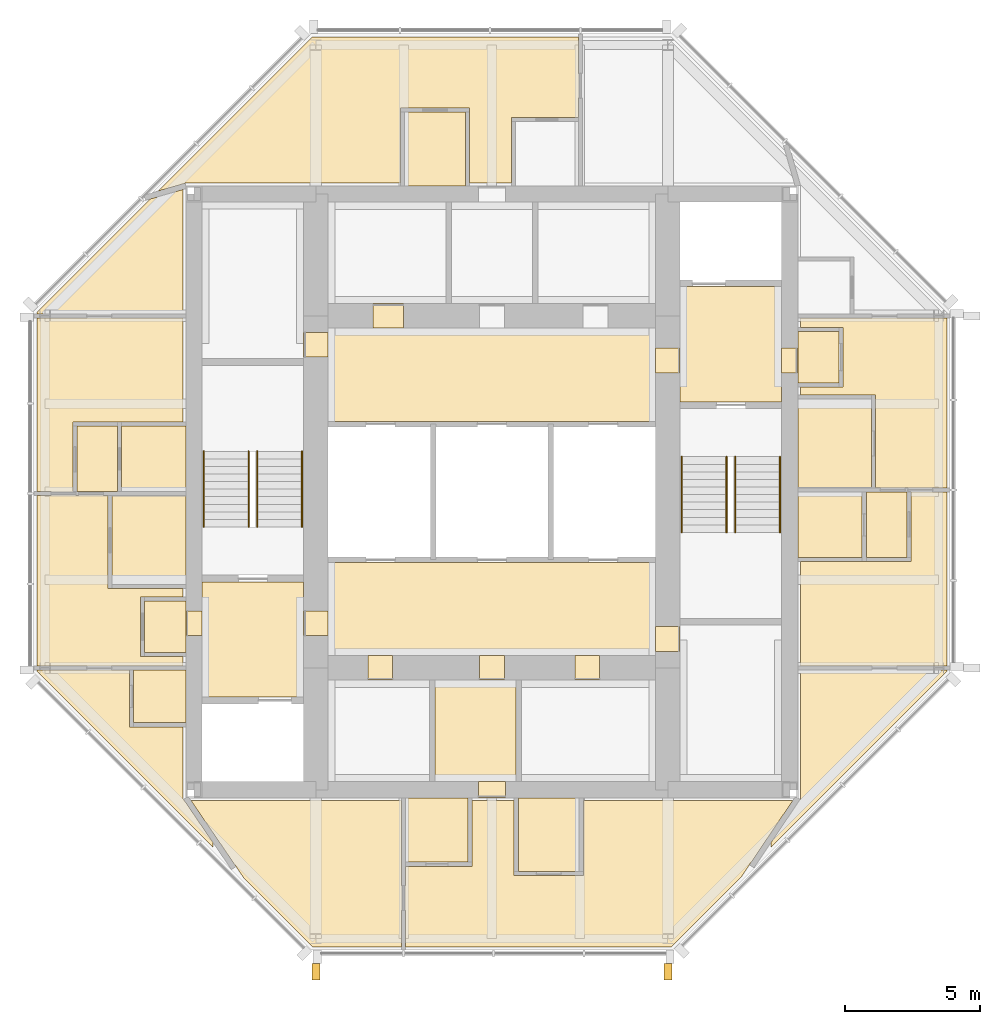
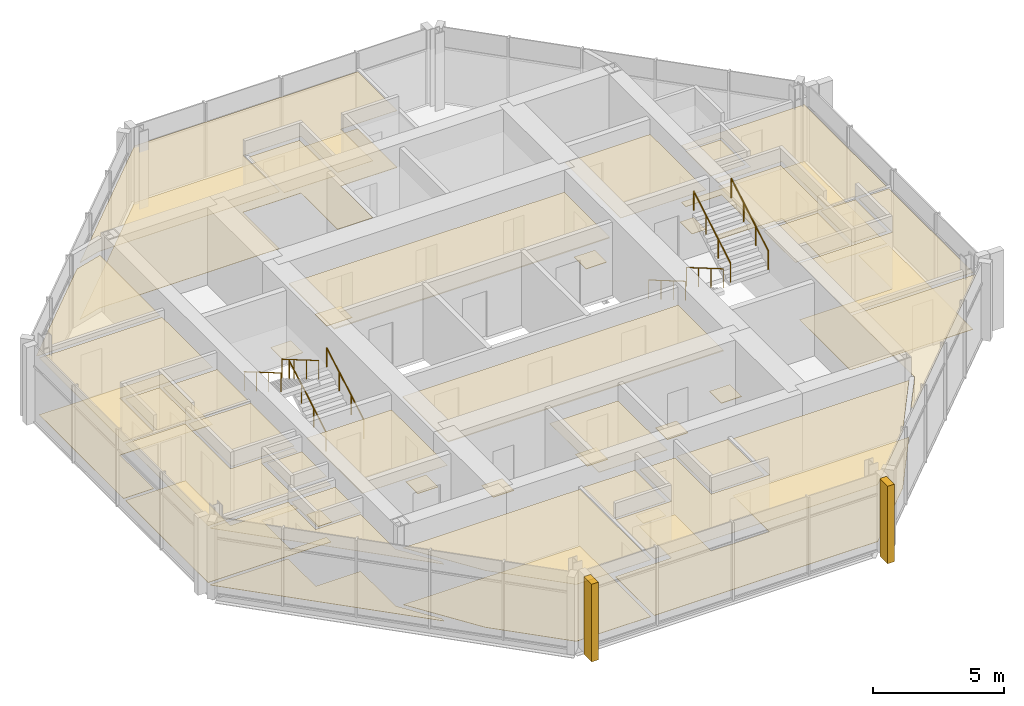
# One storey, part 8 of 9: 48 coverings, 8 railings.
"""IFC4 building model written with IfcOpenShell, lengths in metres."""

from ifc_helpers import new_model, si_unit, direction, frame, origin, origin_2d, place, context, subcontext, project, spatial, polyline, rectangle, circle, outline, extrude, material, layer, layer_set, type_object, element, save


model = new_model("IFC4")

# Units and contexts
model_context = context("Model", 3, precision=1e-05, world=origin(), true_north=direction((0.0, 1.0)))
body_context = subcontext(model_context, "Body", "Model", "MODEL_VIEW")
ifc_project = project(units=[si_unit("LENGTHUNIT", "METRE"), si_unit("AREAUNIT", "SQUARE_METRE"), si_unit("VOLUMEUNIT", "CUBIC_METRE"), si_unit("PLANEANGLEUNIT", "RADIAN"), si_unit("MASSUNIT", "GRAM", prefix="KILO")], contexts=[model_context])

# Site, building, storey
site_placement = place(None, origin())
site = spatial("IfcSite", under=ifc_project, at=site_placement, CompositionType="ELEMENT")
building_placement = place(site_placement, origin())
building = spatial("IfcBuilding", under=site, at=building_placement, Name="Trevanion Tower", CompositionType="ELEMENT")
storey_placement = place(building_placement, frame((0.0, 0.0, 284.800048828125)))
storey = spatial("IfcBuildingStorey", under=building, at=storey_placement, Name="L70", CompositionType="ELEMENT", Elevation=284.800048828125)

# Coverings
ifc_material_1 = material(Name="Fibrous plaster coffers on suspended steel grid", Category="steel")
ifc_layer_1 = layer(ifc_material_1, 0.050048828125)
ifc_layer_set_1 = layer_set([ifc_layer_1], Name="CL1 coffered fibrous plaster ceiling 50")
covering_type_1 = type_object("IfcCoveringType", Name="CL1 coffered fibrous plaster ceiling 50", PredefinedType="CEILING", material=ifc_layer_set_1)
covering_1_placement = place(storey_placement, frame((0.0, 0.0, 2.530029296875)))
element("IfcCovering", 1, at=covering_1_placement, inside=storey, type_object=covering_type_1, Name="CL1 L70-LBN", PredefinedType="CEILING", context=body_context, shape_type="SweptSolid", body=[
    extrude(outline(polyline([(6.050048828125, 2.60009765625), (6.050048828125, 6.050048828125), (-6.050048828125, 6.050048828125), (-6.050048828125, 2.60009765625), (6.050048828125, 2.60009765625)])), origin(), (0.0, 0.0, 1.0), 0.0498046875),
])
covering_2_placement = place(storey_placement, frame((0.0, 0.0, 2.530029296875)))
element("IfcCovering", 2, at=covering_2_placement, inside=storey, type_object=covering_type_1, Name="CL1 L70-LBS", PredefinedType="CEILING", context=body_context, shape_type="SweptSolid", body=[
    extrude(outline(polyline([(6.050048828125, -6.050048828125), (6.050048828125, -2.60009765625), (-6.050048828125, -2.60009765625), (-6.050048828125, -6.050048828125), (6.050048828125, -6.050048828125)])), origin(), (0.0, 0.0, 1.0), 0.0498046875),
])
ifc_material_2 = material(Name="Mineral fibre acoustic tiles in exposed grid", Category="mineral fibre")
ifc_layer_2 = layer(ifc_material_2, 0.02001953125)
ifc_layer_set_2 = layer_set([ifc_layer_2], Name="CL2 acoustic tile ceiling 20")
covering_type_2 = type_object("IfcCoveringType", Name="CL2 acoustic tile ceiling 20", PredefinedType="CEILING", material=ifc_layer_set_2)
covering_3_placement = place(storey_placement, frame((0.0, 0.0, 2.56005859375)))
element("IfcCovering", 3, at=covering_3_placement, inside=storey, type_object=covering_type_2, Name="CL2 L70-CSC", PredefinedType="CEILING", context=body_context, shape_type="SweptSolid", body=[
    extrude(outline(polyline([(0.89990234375, -10.699951171875), (0.89990234375, -6.949951171875), (-2.10009765625, -6.949951171875), (-2.10009765625, -10.699951171875), (0.89990234375, -10.699951171875)])), origin(), (0.0, 0.0, 1.0), 0.019775390625),
])
ifc_material_3 = material(Name="Gypsum plasterboard on suspended metal furring", Category="gypsum")
ifc_layer_3 = layer(ifc_material_3, 0.012939453125)
ifc_layer_set_3 = layer_set([ifc_layer_3], Name="CL3 plasterboard ceiling 13")
covering_type_3 = type_object("IfcCoveringType", Name="CL3 plasterboard ceiling 13", PredefinedType="CEILING", material=ifc_layer_set_3)
covering_4_placement = place(storey_placement, frame((0.0, 0.0, 2.699951171875)))
element("IfcCovering", 4, at=covering_4_placement, inside=storey, type_object=covering_type_3, Name="CL3 L70-FV1", PredefinedType="CEILING", context=body_context, shape_type="SweptSolid", body=[
    extrude(outline(polyline([(10.699951171875, 3.324951171875), (10.699951171875, 7.574951171875), (6.949951171875, 7.574951171875), (6.949951171875, 3.324951171875), (10.699951171875, 3.324951171875)])), origin(), (0.0, 0.0, 1.0), 0.012939453125),
])
covering_5_placement = place(storey_placement, frame((0.0, 0.0, 2.699951171875)))
element("IfcCovering", 5, at=covering_5_placement, inside=storey, type_object=covering_type_3, Name="CL3 L70-FV2", PredefinedType="CEILING", context=body_context, shape_type="SweptSolid", body=[
    extrude(outline(polyline([(-10.699951171875, -3.324951171875), (-10.699951171875, -7.574951171875), (-6.949951171875, -7.574951171875), (-6.949951171875, -3.324951171875), (-10.699951171875, -3.324951171875)])), origin(), (0.0, 0.0, 1.0), 0.012939453125),
])
covering_6_placement = place(storey_placement, frame((0.0, 0.0, 2.699951171875)))
element("IfcCovering", 6, at=covering_6_placement, inside=storey, type_object=covering_type_3, Name="CL3 L70-REE", PredefinedType="CEILING", context=body_context, shape_type="SweptSolid", body=[
    extrude(outline(polyline([(12.824951171875, 4.02490234375), (12.824951171875, 5.925048828125), (11.300048828125, 5.925048828125), (11.300048828125, 4.02490234375), (12.824951171875, 4.02490234375)])), origin(), (0.0, 0.0, 1.0), 0.012939453125),
])
covering_7_placement = place(storey_placement, frame((0.0, 0.0, 2.64599609375)))
element("IfcCovering", 7, at=covering_7_placement, inside=storey, type_object=covering_type_3, Name="CL3 L70-REH", PredefinedType="CEILING", context=body_context, shape_type="SweptSolid", body=[
    extrude(outline(polyline([(15.324951171875, -2.425048828125), (15.324951171875, -0.010009765625), (13.824951171875, -0.010009765625), (13.824951171875, -2.425048828125), (15.324951171875, -2.425048828125)])), origin(), (0.0, 0.0, 1.0), 0.012939453125),
])
covering_8_placement = place(storey_placement, frame((0.0, 0.0, 2.640869140625)))
element("IfcCovering", 8, at=covering_8_placement, inside=storey, type_object=covering_type_3, Name="CL3 L70-REY", PredefinedType="CEILING", context=body_context, shape_type="SweptSolid", body=[
    extrude(outline(polyline([(10.300048828125, -13.124267578125), (10.300048828125, -12.962890625), (11.39990234375, -11.33056640625), (11.39990234375, -6.574951171875), (16.800048828125, -6.574951171875), (16.800048828125, -6.624267578125), (10.300048828125, -13.124267578125)])), origin(), (0.0, 0.0, 1.0), 0.01318359375),
])
covering_9_placement = place(storey_placement, frame((0.0, 0.0, 2.640869140625)))
element("IfcCovering", 9, at=covering_9_placement, inside=storey, type_object=covering_type_3, Name="CL3 L70-REB", PredefinedType="CEILING", context=body_context, shape_type="SweptSolid", body=[
    extrude(outline(polyline([(11.39990234375, -6.425048828125), (11.39990234375, -2.574951171875), (15.47509765625, -2.574951171875), (15.47509765625, -0.010009765625), (16.800048828125, -0.010009765625), (16.800048828125, -6.425048828125), (11.39990234375, -6.425048828125)])), origin(), (0.0, 0.0, 1.0), 0.01318359375),
])
covering_10_placement = place(storey_placement, frame((0.0, 0.0, 2.640869140625)))
element("IfcCovering", 10, at=covering_10_placement, inside=storey, type_object=covering_type_3, Name="CL3 L70-REL", PredefinedType="CEILING", context=body_context, shape_type="SweptSolid", body=[
    extrude(outline(polyline([(14.175048828125, 0.139892578125), (14.175048828125, 3.574951171875), (11.39990234375, 3.574951171875), (11.39990234375, 3.875), (12.97509765625, 3.875), (12.97509765625, 6.074951171875), (11.39990234375, 6.074951171875), (11.39990234375, 6.425048828125), (16.800048828125, 6.425048828125), (16.800048828125, 0.139892578125), (14.175048828125, 0.139892578125)])), origin(), (0.0, 0.0, 1.0), 0.01318359375),
])
covering_11_placement = place(storey_placement, frame((0.0, 0.0, 2.640869140625)))
element("IfcCovering", 11, at=covering_11_placement, inside=storey, type_object=covering_type_3, Name="CL3 L70-RNL", PredefinedType="CEILING", context=body_context, shape_type="SweptSolid", body=[
    extrude(outline(polyline([(3.19091796875, 13.824951171875), (0.72509765625, 13.824951171875), (0.72509765625, 11.39990234375), (-0.824951171875, 11.39990234375), (-0.824951171875, 14.175048828125), (-3.375, 14.175048828125), (-3.375, 11.39990234375), (-11.314208984375, 11.39990234375), (-12.313720703125, 11.110595703125), (-6.624267578125, 16.800048828125), (3.19091796875, 16.800048828125), (3.19091796875, 13.824951171875)])), origin(), (0.0, 0.0, 1.0), 0.01318359375),
])
covering_12_placement = place(storey_placement, frame((0.0, 0.0, 2.699951171875)))
element("IfcCovering", 12, at=covering_12_placement, inside=storey, type_object=covering_type_3, Name="CL3 L70-RWE", PredefinedType="CEILING", context=body_context, shape_type="SweptSolid", body=[
    extrude(outline(polyline([(-12.824951171875, -4.02490234375), (-12.824951171875, -5.925048828125), (-11.300048828125, -5.925048828125), (-11.300048828125, -4.02490234375), (-12.824951171875, -4.02490234375)])), origin(), (0.0, 0.0, 1.0), 0.012939453125),
])
covering_13_placement = place(storey_placement, frame((0.0, 0.0, 2.64599609375)))
element("IfcCovering", 13, at=covering_13_placement, inside=storey, type_object=covering_type_3, Name="CL3 L70-RWH", PredefinedType="CEILING", context=body_context, shape_type="SweptSolid", body=[
    extrude(outline(polyline([(-15.324951171875, 2.425048828125), (-15.324951171875, 0.010009765625), (-13.824951171875, 0.010009765625), (-13.824951171875, 2.425048828125), (-15.324951171875, 2.425048828125)])), origin(), (0.0, 0.0, 1.0), 0.012939453125),
])
covering_14_placement = place(storey_placement, frame((0.0, 0.0, 2.640869140625)))
element("IfcCovering", 14, at=covering_14_placement, inside=storey, type_object=covering_type_3, Name="CL3 L70-RWY", PredefinedType="CEILING", context=body_context, shape_type="SweptSolid", body=[
    extrude(outline(polyline([(-12.606689453125, 10.817626953125), (-11.39990234375, 11.1669921875), (-11.39990234375, 6.574951171875), (-16.800048828125, 6.574951171875), (-16.800048828125, 6.624267578125), (-12.606689453125, 10.817626953125)])), origin(), (0.0, 0.0, 1.0), 0.01318359375),
])
covering_15_placement = place(storey_placement, frame((0.0, 0.0, 2.640869140625)))
element("IfcCovering", 15, at=covering_15_placement, inside=storey, type_object=covering_type_3, Name="CL3 L70-RWB", PredefinedType="CEILING", context=body_context, shape_type="SweptSolid", body=[
    extrude(outline(polyline([(-11.39990234375, 6.425048828125), (-11.39990234375, 2.574951171875), (-15.47509765625, 2.574951171875), (-15.47509765625, 0.010009765625), (-16.800048828125, 0.010009765625), (-16.800048828125, 6.425048828125), (-11.39990234375, 6.425048828125)])), origin(), (0.0, 0.0, 1.0), 0.01318359375),
])
covering_16_placement = place(storey_placement, frame((0.0, 0.0, 2.640869140625)))
element("IfcCovering", 16, at=covering_16_placement, inside=storey, type_object=covering_type_3, Name="CL3 L70-RWL", PredefinedType="CEILING", context=body_context, shape_type="SweptSolid", body=[
    extrude(outline(polyline([(-14.175048828125, -0.139892578125), (-14.175048828125, -3.574951171875), (-11.39990234375, -3.574951171875), (-11.39990234375, -3.875), (-12.97509765625, -3.875), (-12.97509765625, -6.074951171875), (-11.39990234375, -6.074951171875), (-11.39990234375, -6.425048828125), (-16.800048828125, -6.425048828125), (-16.800048828125, -0.139892578125), (-14.175048828125, -0.139892578125)])), origin(), (0.0, 0.0, 1.0), 0.01318359375),
])
covering_17_placement = place(storey_placement, frame((0.0, 0.0, 2.640869140625)))
element("IfcCovering", 17, at=covering_17_placement, inside=storey, type_object=covering_type_3, Name="CL3 L70-RWB2", PredefinedType="CEILING", context=body_context, shape_type="SweptSolid", body=[
    extrude(outline(polyline([(-13.375, -6.574951171875), (-13.375, -8.675048828125), (-11.39990234375, -8.675048828125), (-11.39990234375, -11.330810546875), (-10.300048828125, -12.94384765625), (-10.300048828125, -13.124267578125), (-16.800048828125, -6.624267578125), (-16.800048828125, -6.574951171875), (-13.375, -6.574951171875)])), origin(), (0.0, 0.0, 1.0), 0.01318359375),
])
covering_18_placement = place(storey_placement, frame((0.0, 0.0, 2.640869140625)))
element("IfcCovering", 18, at=covering_18_placement, inside=storey, type_object=covering_type_3, Name="CL3 L70-RSB", PredefinedType="CEILING", context=body_context, shape_type="SweptSolid", body=[
    extrude(outline(polyline([(-11.11083984375, -11.39990234375), (-3.341064453125, -11.39990234375), (-3.341064453125, -16.800048828125), (-6.624267578125, -16.800048828125), (-9.15185546875, -14.272216796875), (-11.11083984375, -11.39990234375)])), origin(), (0.0, 0.0, 1.0), 0.01318359375),
])
covering_19_placement = place(storey_placement, frame((0.0, 0.0, 2.640869140625)))
element("IfcCovering", 19, at=covering_19_placement, inside=storey, type_object=covering_type_3, Name="CL3 L70-RSL", PredefinedType="CEILING", context=body_context, shape_type="SweptSolid", body=[
    extrude(outline(polyline([(9.227294921875, -14.197021484375), (6.624267578125, -16.800048828125), (-3.19091796875, -16.800048828125), (-3.19091796875, -13.824951171875), (-0.72509765625, -13.824951171875), (-0.72509765625, -11.39990234375), (0.824951171875, -11.39990234375), (0.824951171875, -14.175048828125), (3.375, -14.175048828125), (3.375, -11.39990234375), (11.112060546875, -11.39990234375), (9.227294921875, -14.197021484375)])), origin(), (0.0, 0.0, 1.0), 0.01318359375),
])
ifc_material_4 = material(Name="Moisture-resistant gypsum board on suspended metal furring", Category="gypsum")
ifc_layer_4 = layer(ifc_material_4, 0.01611328125)
ifc_layer_set_4 = layer_set([ifc_layer_4], Name="CL4 moisture-resistant board ceiling 16")
covering_type_4 = type_object("IfcCoveringType", Name="CL4 moisture-resistant board ceiling 16", PredefinedType="CEILING", material=ifc_layer_set_4)
covering_20_placement = place(storey_placement, frame((0.0, 0.0, 2.599853515625)))
element("IfcCovering", 20, at=covering_20_placement, inside=storey, type_object=covering_type_4, Name="CL4 L70-REK", PredefinedType="CEILING", context=body_context, shape_type="SweptSolid", body=[
    extrude(outline(polyline([(14.02490234375, 0.139892578125), (14.02490234375, 3.425048828125), (11.300048828125, 3.425048828125), (11.300048828125, 0.139892578125), (14.02490234375, 0.139892578125)])), origin(), (0.0, 0.0, 1.0), 0.01611328125),
])
covering_21_placement = place(storey_placement, frame((0.0, 0.0, 2.599853515625)))
element("IfcCovering", 21, at=covering_21_placement, inside=storey, type_object=covering_type_4, Name="CL4 L70-RET", PredefinedType="CEILING", context=body_context, shape_type="SweptSolid", body=[
    extrude(outline(polyline([(13.675048828125, -2.425048828125), (13.675048828125, -0.010009765625), (11.300048828125, -0.010009765625), (11.300048828125, -2.425048828125), (13.675048828125, -2.425048828125)])), origin(), (0.0, 0.0, 1.0), 0.01611328125),
])
covering_22_placement = place(storey_placement, frame((0.0, 0.0, 2.599853515625)))
element("IfcCovering", 22, at=covering_22_placement, inside=storey, type_object=covering_type_4, Name="CL4 L70-RNK", PredefinedType="CEILING", context=body_context, shape_type="SweptSolid", body=[
    extrude(outline(polyline([(-0.97509765625, 14.02490234375), (-3.22509765625, 14.02490234375), (-3.22509765625, 11.300048828125), (-0.97509765625, 11.300048828125), (-0.97509765625, 14.02490234375)])), origin(), (0.0, 0.0, 1.0), 0.01611328125),
])
covering_23_placement = place(storey_placement, frame((0.0, 0.0, 2.599853515625)))
element("IfcCovering", 23, at=covering_23_placement, inside=storey, type_object=covering_type_4, Name="CL4 L70-RWK", PredefinedType="CEILING", context=body_context, shape_type="SweptSolid", body=[
    extrude(outline(polyline([(-14.02490234375, -0.139892578125), (-14.02490234375, -3.425048828125), (-11.300048828125, -3.425048828125), (-11.300048828125, -0.139892578125), (-14.02490234375, -0.139892578125)])), origin(), (0.0, 0.0, 1.0), 0.01611328125),
])
covering_24_placement = place(storey_placement, frame((0.0, 0.0, 2.599853515625)))
element("IfcCovering", 24, at=covering_24_placement, inside=storey, type_object=covering_type_4, Name="CL4 L70-RWW", PredefinedType="CEILING", context=body_context, shape_type="SweptSolid", body=[
    extrude(outline(polyline([(-13.22509765625, -6.574951171875), (-13.22509765625, -8.52490234375), (-11.300048828125, -8.52490234375), (-11.300048828125, -6.574951171875), (-13.22509765625, -6.574951171875)])), origin(), (0.0, 0.0, 1.0), 0.01611328125),
])
covering_25_placement = place(storey_placement, frame((0.0, 0.0, 2.599853515625)))
element("IfcCovering", 25, at=covering_25_placement, inside=storey, type_object=covering_type_4, Name="CL4 L70-RWT", PredefinedType="CEILING", context=body_context, shape_type="SweptSolid", body=[
    extrude(outline(polyline([(-13.675048828125, 2.425048828125), (-13.675048828125, 0.010009765625), (-11.300048828125, 0.010009765625), (-11.300048828125, 2.425048828125), (-13.675048828125, 2.425048828125)])), origin(), (0.0, 0.0, 1.0), 0.01611328125),
])
covering_26_placement = place(storey_placement, frame((0.0, 0.0, 2.599853515625)))
element("IfcCovering", 26, at=covering_26_placement, inside=storey, type_object=covering_type_4, Name="CL4 L70-RSK", PredefinedType="CEILING", context=body_context, shape_type="SweptSolid", body=[
    extrude(outline(polyline([(0.97509765625, -14.02490234375), (3.22509765625, -14.02490234375), (3.22509765625, -11.300048828125), (0.97509765625, -11.300048828125), (0.97509765625, -14.02490234375)])), origin(), (0.0, 0.0, 1.0), 0.01611328125),
])
covering_27_placement = place(storey_placement, frame((0.0, 0.0, 2.599853515625)))
element("IfcCovering", 27, at=covering_27_placement, inside=storey, type_object=covering_type_4, Name="CL4 L70-RST", PredefinedType="CEILING", context=body_context, shape_type="SweptSolid", body=[
    extrude(outline(polyline([(-3.19091796875, -13.675048828125), (-0.875, -13.675048828125), (-0.875, -11.300048828125), (-3.19091796875, -11.300048828125), (-3.19091796875, -13.675048828125)])), origin(), (0.0, 0.0, 1.0), 0.01611328125),
])
ifc_material_5 = material(Name="Cast bronze fin on aluminium carrier", Category="aluminium")
covering_type_5 = type_object("IfcCoveringType", Name="F1 bronze fin", PredefinedType="CLADDING", material=ifc_material_5)
for number, where, z_axis, x_axis, name in (
    (28, (-6.5, -17.72509765625, -0.190185546875), (0.0, 0.0, 1.0), (1.0, 0.0, 0.0), "F1 L70 south -6.5"),
    (29, (6.5, -17.72509765625, -0.190185546875), (0.0, 0.0, 1.0), (1.0, 0.0, 0.0), "F1 L70 south +6.5"),
):
    element("IfcCovering", number, at=place(storey_placement, frame(where, z_axis=z_axis, x_axis=x_axis)), inside=storey, type_object=covering_type_5, Name=name, PredefinedType="CLADDING", context=body_context, shape_type="SweptSolid", body=[
        extrude(rectangle(XDim=0.300048828125, YDim=0.60009765625, at=origin_2d()), origin(), (0.0, 0.0, 1.0), 3.60009765625),
    ])
ifc_material_6 = material(Name="Terrazzo, brass divider strips", Category="stone")
ifc_layer_5 = layer(ifc_material_6, 0.02001953125)
ifc_layer_set_5 = layer_set([ifc_layer_5], Name="FF1 terrazzo flooring")
covering_type_6 = type_object("IfcCoveringType", Name="FF1 terrazzo flooring", PredefinedType="FLOORING", material=ifc_layer_set_5)
covering_28_placement = place(storey_placement, origin())
element("IfcCovering", 30, at=covering_28_placement, inside=storey, type_object=covering_type_6, Name="FF1 threshold 70-001", PredefinedType="FLOORING", context=body_context, shape_type="SweptSolid", body=[
    extrude(outline(polyline([(11.300048828125, 4.392578125), (11.300048828125, 5.3076171875), (10.699951171875, 5.3076171875), (10.699951171875, 4.392578125), (11.300048828125, 4.392578125)])), origin(), (0.0, 0.0, 1.0), 0.02001953125),
])
covering_29_placement = place(storey_placement, origin())
element("IfcCovering", 31, at=covering_29_placement, inside=storey, type_object=covering_type_6, Name="FF1 threshold 70-002", PredefinedType="FLOORING", context=body_context, shape_type="SweptSolid", body=[
    extrude(outline(polyline([(-11.300048828125, -4.392578125), (-11.300048828125, -5.3076171875), (-10.699951171875, -5.3076171875), (-10.699951171875, -4.392578125), (-11.300048828125, -4.392578125)])), origin(), (0.0, 0.0, 1.0), 0.02001953125),
])
covering_30_placement = place(storey_placement, origin())
element("IfcCovering", 32, at=covering_30_placement, inside=storey, type_object=covering_type_6, Name="FF1 threshold 70-003", PredefinedType="FLOORING", context=body_context, shape_type="SweptSolid", body=[
    extrude(outline(polyline([(6.949951171875, 4.392578125), (6.949951171875, 5.3076171875), (6.050048828125, 5.3076171875), (6.050048828125, 4.392578125), (6.949951171875, 4.392578125)])), origin(), (0.0, 0.0, 1.0), 0.02001953125),
])
covering_31_placement = place(storey_placement, origin())
element("IfcCovering", 33, at=covering_31_placement, inside=storey, type_object=covering_type_6, Name="FF1 threshold 70-004", PredefinedType="FLOORING", context=body_context, shape_type="SweptSolid", body=[
    extrude(outline(polyline([(-6.949951171875, -4.392578125), (-6.949951171875, -5.3076171875), (-6.050048828125, -5.3076171875), (-6.050048828125, -4.392578125), (-6.949951171875, -4.392578125)])), origin(), (0.0, 0.0, 1.0), 0.02001953125),
])
covering_32_placement = place(storey_placement, origin())
element("IfcCovering", 34, at=covering_32_placement, inside=storey, type_object=covering_type_6, Name="FF1 threshold 70-009", PredefinedType="FLOORING", context=body_context, shape_type="SweptSolid", body=[
    extrude(outline(polyline([(6.949951171875, -5.889892578125), (6.949951171875, -4.97509765625), (6.050048828125, -4.97509765625), (6.050048828125, -5.889892578125), (6.949951171875, -5.889892578125)])), origin(), (0.0, 0.0, 1.0), 0.02001953125),
])
covering_33_placement = place(storey_placement, origin())
element("IfcCovering", 35, at=covering_33_placement, inside=storey, type_object=covering_type_6, Name="FF1 threshold 70-010", PredefinedType="FLOORING", context=body_context, shape_type="SweptSolid", body=[
    extrude(outline(polyline([(-6.949951171875, 5.889892578125), (-6.949951171875, 4.97509765625), (-6.050048828125, 4.97509765625), (-6.050048828125, 5.889892578125), (-6.949951171875, 5.889892578125)])), origin(), (0.0, 0.0, 1.0), 0.02001953125),
])
covering_34_placement = place(storey_placement, origin())
element("IfcCovering", 36, at=covering_34_placement, inside=storey, type_object=covering_type_6, Name="FF1 threshold 70-019", PredefinedType="FLOORING", context=body_context, shape_type="SweptSolid", body=[
    extrude(outline(polyline([(-3.26611328125, 6.949951171875), (-4.384033203125, 6.949951171875), (-4.384033203125, 6.050048828125), (-3.26611328125, 6.050048828125), (-3.26611328125, 6.949951171875)])), origin(), (0.0, 0.0, 1.0), 0.02001953125),
])
covering_35_placement = place(storey_placement, origin())
element("IfcCovering", 37, at=covering_35_placement, inside=storey, type_object=covering_type_6, Name="FF1 threshold 70-021", PredefinedType="FLOORING", context=body_context, shape_type="SweptSolid", body=[
    extrude(outline(polyline([(-0.45751953125, -6.949951171875), (0.45751953125, -6.949951171875), (0.45751953125, -6.050048828125), (-0.45751953125, -6.050048828125), (-0.45751953125, -6.949951171875)])), origin(), (0.0, 0.0, 1.0), 0.02001953125),
])
covering_36_placement = place(storey_placement, origin())
element("IfcCovering", 38, at=covering_36_placement, inside=storey, type_object=covering_type_6, Name="FF1 threshold 70-022", PredefinedType="FLOORING", context=body_context, shape_type="SweptSolid", body=[
    extrude(outline(polyline([(-0.5, -11.300048828125), (0.5, -11.300048828125), (0.5, -10.699951171875), (-0.5, -10.699951171875), (-0.5, -11.300048828125)])), origin(), (0.0, 0.0, 1.0), 0.02001953125),
])
covering_37_placement = place(storey_placement, origin())
element("IfcCovering", 39, at=covering_37_placement, inside=storey, type_object=covering_type_6, Name="FF1 threshold 70-023", PredefinedType="FLOORING", context=body_context, shape_type="SweptSolid", body=[
    extrude(outline(polyline([(-4.58251953125, -6.949951171875), (-3.66748046875, -6.949951171875), (-3.66748046875, -6.050048828125), (-4.58251953125, -6.050048828125), (-4.58251953125, -6.949951171875)])), origin(), (0.0, 0.0, 1.0), 0.02001953125),
])
covering_38_placement = place(storey_placement, origin())
element("IfcCovering", 40, at=covering_38_placement, inside=storey, type_object=covering_type_6, Name="FF1 threshold 70-024", PredefinedType="FLOORING", context=body_context, shape_type="SweptSolid", body=[
    extrude(outline(polyline([(3.0673828125, -6.949951171875), (3.982421875, -6.949951171875), (3.982421875, -6.050048828125), (3.0673828125, -6.050048828125), (3.0673828125, -6.949951171875)])), origin(), (0.0, 0.0, 1.0), 0.02001953125),
])
ifc_material_7 = material(Name="Engineered oak", Category="wood")
ifc_layer_6 = layer(ifc_material_7, 0.014892578125)
ifc_layer_set_6 = layer_set([ifc_layer_6], Name="FF3 timber flooring")
covering_type_7 = type_object("IfcCoveringType", Name="FF3 timber flooring", PredefinedType="FLOORING", material=ifc_layer_set_6)
covering_39_placement = place(storey_placement, origin())
element("IfcCovering", 41, at=covering_39_placement, inside=storey, type_object=covering_type_7, Name="FF3 L70-REB", PredefinedType="FLOORING", context=body_context, shape_type="SweptSolid", body=[
    extrude(outline(polyline([(11.39990234375, -6.425048828125), (11.39990234375, -2.574951171875), (15.47509765625, -2.574951171875), (15.47509765625, -0.010009765625), (16.800048828125, -0.010009765625), (16.800048828125, -6.425048828125), (11.39990234375, -6.425048828125)])), origin(), (0.0, 0.0, 1.0), 0.014892578125),
])
covering_40_placement = place(storey_placement, origin())
element("IfcCovering", 42, at=covering_40_placement, inside=storey, type_object=covering_type_7, Name="FF3 L70-REL", PredefinedType="FLOORING", context=body_context, shape_type="SweptSolid", body=[
    extrude(outline(polyline([(14.175048828125, 0.139892578125), (14.175048828125, 3.574951171875), (11.39990234375, 3.574951171875), (11.39990234375, 3.875), (12.97509765625, 3.875), (12.97509765625, 6.074951171875), (11.39990234375, 6.074951171875), (11.39990234375, 6.425048828125), (16.800048828125, 6.425048828125), (16.800048828125, 0.139892578125), (14.175048828125, 0.139892578125)])), origin(), (0.0, 0.0, 1.0), 0.014892578125),
])
covering_41_placement = place(storey_placement, origin())
element("IfcCovering", 43, at=covering_41_placement, inside=storey, type_object=covering_type_7, Name="FF3 L70-RNL", PredefinedType="FLOORING", context=body_context, shape_type="SweptSolid", body=[
    extrude(outline(polyline([(3.19091796875, 13.824951171875), (0.72509765625, 13.824951171875), (0.72509765625, 11.39990234375), (-0.824951171875, 11.39990234375), (-0.824951171875, 14.175048828125), (-3.375, 14.175048828125), (-3.375, 11.39990234375), (-11.314208984375, 11.39990234375), (-12.313720703125, 11.110595703125), (-6.624267578125, 16.800048828125), (3.19091796875, 16.800048828125), (3.19091796875, 13.824951171875)])), origin(), (0.0, 0.0, 1.0), 0.014892578125),
])
covering_42_placement = place(storey_placement, origin())
element("IfcCovering", 44, at=covering_42_placement, inside=storey, type_object=covering_type_7, Name="FF3 L70-RWB", PredefinedType="FLOORING", context=body_context, shape_type="SweptSolid", body=[
    extrude(outline(polyline([(-11.39990234375, 6.425048828125), (-11.39990234375, 2.574951171875), (-15.47509765625, 2.574951171875), (-15.47509765625, 0.010009765625), (-16.800048828125, 0.010009765625), (-16.800048828125, 6.425048828125), (-11.39990234375, 6.425048828125)])), origin(), (0.0, 0.0, 1.0), 0.014892578125),
])
covering_43_placement = place(storey_placement, origin())
element("IfcCovering", 45, at=covering_43_placement, inside=storey, type_object=covering_type_7, Name="FF3 L70-RWL", PredefinedType="FLOORING", context=body_context, shape_type="SweptSolid", body=[
    extrude(outline(polyline([(-14.175048828125, -0.139892578125), (-14.175048828125, -3.574951171875), (-11.39990234375, -3.574951171875), (-11.39990234375, -3.875), (-12.97509765625, -3.875), (-12.97509765625, -6.074951171875), (-11.39990234375, -6.074951171875), (-11.39990234375, -6.425048828125), (-16.800048828125, -6.425048828125), (-16.800048828125, -0.139892578125), (-14.175048828125, -0.139892578125)])), origin(), (0.0, 0.0, 1.0), 0.014892578125),
])
covering_44_placement = place(storey_placement, origin())
element("IfcCovering", 46, at=covering_44_placement, inside=storey, type_object=covering_type_7, Name="FF3 L70-RWB2", PredefinedType="FLOORING", context=body_context, shape_type="SweptSolid", body=[
    extrude(outline(polyline([(-13.375, -6.574951171875), (-13.375, -8.675048828125), (-11.39990234375, -8.675048828125), (-11.39990234375, -11.330810546875), (-10.300048828125, -12.94384765625), (-10.300048828125, -13.124267578125), (-16.800048828125, -6.624267578125), (-16.800048828125, -6.574951171875), (-13.375, -6.574951171875)])), origin(), (0.0, 0.0, 1.0), 0.014892578125),
])
covering_45_placement = place(storey_placement, origin())
element("IfcCovering", 47, at=covering_45_placement, inside=storey, type_object=covering_type_7, Name="FF3 L70-RSB", PredefinedType="FLOORING", context=body_context, shape_type="SweptSolid", body=[
    extrude(outline(polyline([(-11.11083984375, -11.39990234375), (-3.341064453125, -11.39990234375), (-3.341064453125, -16.800048828125), (-6.624267578125, -16.800048828125), (-9.15185546875, -14.272216796875), (-11.11083984375, -11.39990234375)])), origin(), (0.0, 0.0, 1.0), 0.014892578125),
])
covering_46_placement = place(storey_placement, origin())
element("IfcCovering", 48, at=covering_46_placement, inside=storey, type_object=covering_type_7, Name="FF3 L70-RSL", PredefinedType="FLOORING", context=body_context, shape_type="SweptSolid", body=[
    extrude(outline(polyline([(9.227294921875, -14.197021484375), (6.624267578125, -16.800048828125), (-3.19091796875, -16.800048828125), (-3.19091796875, -13.824951171875), (-0.72509765625, -13.824951171875), (-0.72509765625, -11.39990234375), (0.824951171875, -11.39990234375), (0.824951171875, -14.175048828125), (3.375, -14.175048828125), (3.375, -11.39990234375), (11.112060546875, -11.39990234375), (9.227294921875, -14.197021484375)])), origin(), (0.0, 0.0, 1.0), 0.014892578125),
])

# Railings
ifc_material_8 = material(Name="Stainless steel tube 40 mm", Category="steel")
railing_type = type_object("IfcRailingType", Name="HR1 handrail", PredefinedType="HANDRAIL", material=ifc_material_8)
for number, where, name in (
    (49, (7.010009765625, 1.300048828125, 0.16357421875), "HR1 ST1 L70 flight 1"),
    (50, (8.6650390625, 1.300048828125, 0.16357421875), "HR1 ST1 L70 flight 1"),
):
    element("IfcRailing", number, at=place(storey_placement, frame(where)), inside=storey, type_object=railing_type, Name=name, PredefinedType="HANDRAIL", context=body_context, shape_type="SweptSolid", body=[
        extrude(circle(Radius=0.02001953125, at=origin_2d()), frame((0.0, 0.0, 0.8798828125), z_axis=(0.0, -0.863360870873, 0.504586966384), x_axis=(1.0, 0.0, 0.0)), (0.0, 0.0, 1.0), 3.2431640625),
        extrude(circle(Radius=0.01513671875, at=origin_2d()), origin(), (0.0, 0.0, 1.0), 0.85986328125),
        extrude(circle(Radius=0.01513671875, at=origin_2d()), frame((0.0, -0.933349609375, 0.54541015625)), (0.0, 0.0, 1.0), 0.85986328125),
        extrude(circle(Radius=0.01513671875, at=origin_2d()), frame((0.0, -1.86669921875, 1.091064453125)), (0.0, 0.0, 1.0), 0.85986328125),
        extrude(circle(Radius=0.01513671875, at=origin_2d()), frame((0.0, -2.800048828125, 1.636474609375)), (0.0, 0.0, 1.0), 0.85986328125),
    ])
for number, where, name in (
    (51, (8.985107421875, -1.5, 1.963623046875), "HR1 ST1 L70 flight 2"),
    (52, (10.639892578125, -1.5, 1.963623046875), "HR1 ST1 L70 flight 2"),
):
    element("IfcRailing", number, at=place(storey_placement, frame(where)), inside=storey, type_object=railing_type, Name=name, PredefinedType="HANDRAIL", context=body_context, shape_type="SweptSolid", body=[
        extrude(circle(Radius=0.02001953125, at=origin_2d()), frame((0.0, 0.0, 0.8798828125), z_axis=(0.0, 0.863393664356, 0.504530851732), x_axis=(-1.0, 0.0, 0.0)), (0.0, 0.0, 1.0), 3.2431640625),
        extrude(circle(Radius=0.01513671875, at=origin_2d()), origin(), (0.0, 0.0, 1.0), 0.85986328125),
        extrude(circle(Radius=0.01513671875, at=origin_2d()), frame((0.0, 0.933349609375, 0.54541015625)), (0.0, 0.0, 1.0), 0.85986328125),
        extrude(circle(Radius=0.01513671875, at=origin_2d()), frame((0.0, 1.86669921875, 1.0908203125)), (0.0, 0.0, 1.0), 0.85986328125),
        extrude(circle(Radius=0.01513671875, at=origin_2d()), frame((0.0, 2.800048828125, 1.63623046875)), (0.0, 0.0, 1.0), 0.85986328125),
    ])
for number, where, name in (
    (53, (-7.010009765625, -1.300048828125, 0.16357421875), "HR1 ST2 L70 flight 1"),
    (54, (-8.6650390625, -1.300048828125, 0.16357421875), "HR1 ST2 L70 flight 1"),
):
    element("IfcRailing", number, at=place(storey_placement, frame(where)), inside=storey, type_object=railing_type, Name=name, PredefinedType="HANDRAIL", context=body_context, shape_type="SweptSolid", body=[
        extrude(circle(Radius=0.02001953125, at=origin_2d()), frame((0.0, 0.0, 0.8798828125), z_axis=(0.0, 0.863360870873, 0.504586966384), x_axis=(-1.0, 0.0, 0.0)), (0.0, 0.0, 1.0), 3.2431640625),
        extrude(circle(Radius=0.01513671875, at=origin_2d()), origin(), (0.0, 0.0, 1.0), 0.85986328125),
        extrude(circle(Radius=0.01513671875, at=origin_2d()), frame((0.0, 0.933349609375, 0.54541015625)), (0.0, 0.0, 1.0), 0.85986328125),
        extrude(circle(Radius=0.01513671875, at=origin_2d()), frame((0.0, 1.86669921875, 1.091064453125)), (0.0, 0.0, 1.0), 0.85986328125),
        extrude(circle(Radius=0.01513671875, at=origin_2d()), frame((0.0, 2.800048828125, 1.636474609375)), (0.0, 0.0, 1.0), 0.85986328125),
    ])
for number, where, name in (
    (55, (-8.985107421875, 1.5, 1.963623046875), "HR1 ST2 L70 flight 2"),
    (56, (-10.639892578125, 1.5, 1.963623046875), "HR1 ST2 L70 flight 2"),
):
    element("IfcRailing", number, at=place(storey_placement, frame(where)), inside=storey, type_object=railing_type, Name=name, PredefinedType="HANDRAIL", context=body_context, shape_type="SweptSolid", body=[
        extrude(circle(Radius=0.02001953125, at=origin_2d()), frame((0.0, 0.0, 0.8798828125), z_axis=(0.0, -0.863393664356, 0.504530851732), x_axis=(1.0, 0.0, 0.0)), (0.0, 0.0, 1.0), 3.2431640625),
        extrude(circle(Radius=0.01513671875, at=origin_2d()), origin(), (0.0, 0.0, 1.0), 0.85986328125),
        extrude(circle(Radius=0.01513671875, at=origin_2d()), frame((0.0, -0.933349609375, 0.54541015625)), (0.0, 0.0, 1.0), 0.85986328125),
        extrude(circle(Radius=0.01513671875, at=origin_2d()), frame((0.0, -1.86669921875, 1.0908203125)), (0.0, 0.0, 1.0), 0.85986328125),
        extrude(circle(Radius=0.01513671875, at=origin_2d()), frame((0.0, -2.800048828125, 1.63623046875)), (0.0, 0.0, 1.0), 0.85986328125),
    ])

save(model, "model.ifc")
